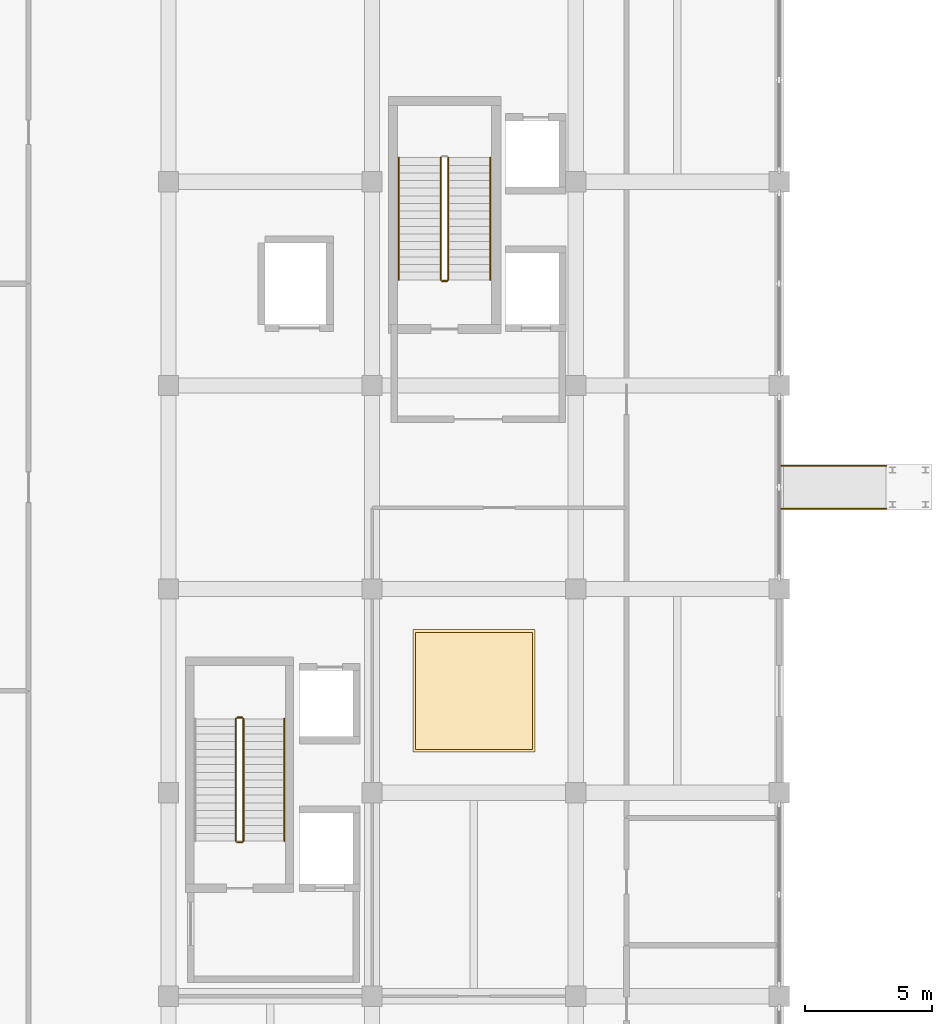
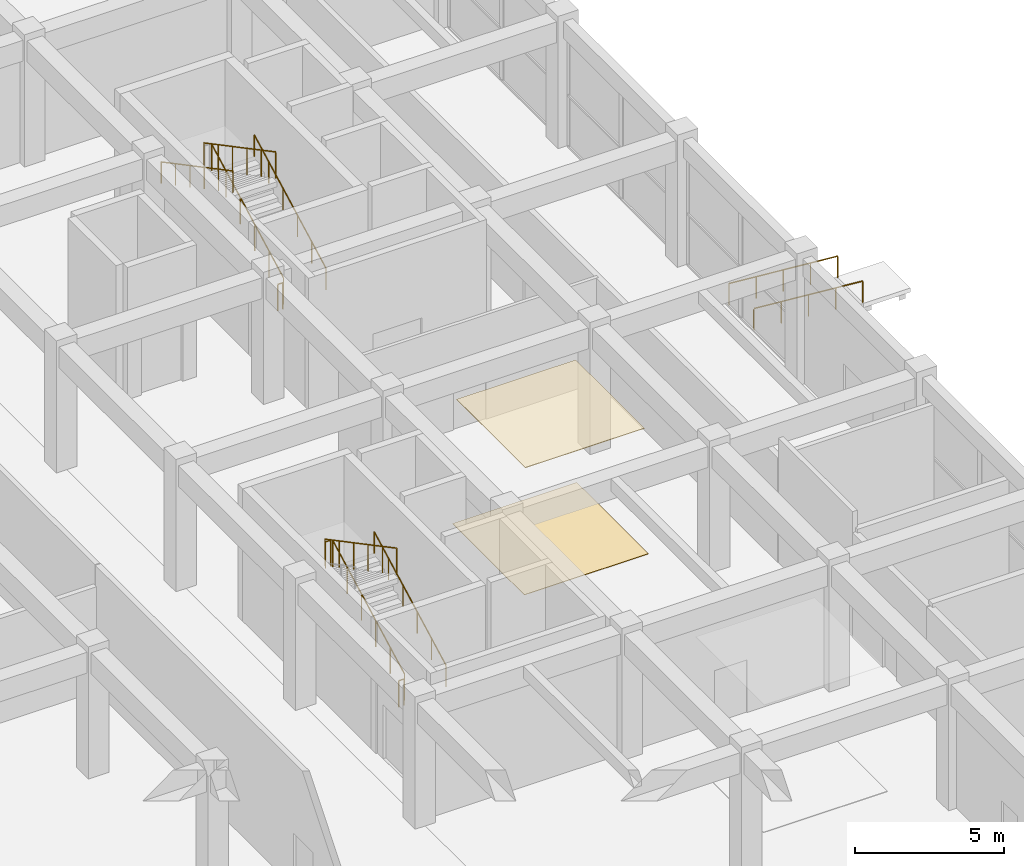
# One storey, part 82 of 86: 12 railings, 2 coverings.
"""IFC4 building model written with IfcOpenShell, lengths in metres."""

from ifc_helpers import new_model, si_unit, direction, frame, origin, origin_2d, place, context, subcontext, project, spatial, rectangle, circle, extrude, material, layer, layer_set, type_object, element, save


model = new_model("IFC4")

# Units and contexts
model_context = context("Model", 3, precision=1e-05, world=origin(), true_north=direction((0.0, 1.0)))
body_context = subcontext(model_context, "Body", "Model", "MODEL_VIEW")
ifc_project = project(units=[si_unit("LENGTHUNIT", "METRE"), si_unit("AREAUNIT", "SQUARE_METRE"), si_unit("VOLUMEUNIT", "CUBIC_METRE"), si_unit("PLANEANGLEUNIT", "RADIAN"), si_unit("MASSUNIT", "GRAM", prefix="KILO")], contexts=[model_context])

# Site, building, storey
site_placement = place(None, origin())
site = spatial("IfcSite", under=ifc_project, at=site_placement, CompositionType="ELEMENT")
building_placement = place(site_placement, origin())
building = spatial("IfcBuilding", under=site, at=building_placement, Name="Kenh Van Central Station", CompositionType="ELEMENT")
storey_placement = place(building_placement, origin())
storey = spatial("IfcBuildingStorey", under=building, at=storey_placement, Name="L00", CompositionType="ELEMENT", Elevation=0.0)

# Coverings
ifc_material_1 = material(Name="Perforated acoustic mineral ceiling board")
ifc_layer_1 = layer(ifc_material_1, 0.02490234375, Name="Perforated acoustic mineral ceiling board")
ifc_layer_set_1 = layer_set([ifc_layer_1], Name="Perforated acoustic mineral ceiling board")
covering_type_1 = type_object("IfcCoveringType", Name="COV-CEIL-ACOUST", PredefinedType="CEILING", material=ifc_layer_set_1)
covering_1_placement = place(storey_placement, frame((164.0, 36.0, 5.09716796875), z_axis=(0.0, 0.0, 1.0), x_axis=(1.0, 0.0, 0.0)))
element("IfcCovering", 1, at=covering_1_placement, inside=storey, type_object=covering_type_1, Name="L00 acoustic ceiling panel 026", PredefinedType="CEILING", context=body_context, shape_type="SweptSolid", body=[
    extrude(rectangle(XDim=4.60009765625, YDim=4.60009765625, at=origin_2d()), origin(), (0.0, 0.0, 1.0), 0.02490234375),
])
ifc_material_2 = material(Name="Polished station granite terrazzo", Category="masonry")
ifc_layer_2 = layer(ifc_material_2, 0.02001953125, Name="Polished station granite terrazzo")
ifc_layer_set_2 = layer_set([ifc_layer_2], Name="Polished station granite terrazzo")
covering_type_2 = type_object("IfcCoveringType", Name="COV-FLR-GRANITE", PredefinedType="FLOORING", material=ifc_layer_set_2)
covering_2_placement = place(storey_placement, frame((164.0, 36.0, 0.0), z_axis=(0.0, 0.0, 1.0), x_axis=(1.0, 0.0, 0.0)))
element("IfcCovering", 2, at=covering_2_placement, inside=storey, type_object=covering_type_2, Name="L00 granite floor finish 034", PredefinedType="FLOORING", context=body_context, shape_type="SweptSolid", body=[
    extrude(rectangle(XDim=4.800048828125, YDim=4.800048828125, at=origin_2d()), origin(), (0.0, 0.0, 1.0), 0.02001953125),
])

# Railings
ifc_material_3 = material(Name="Champagne anodised aluminium", Category="aluminium")
railing_type_1 = type_object("IfcRailingType", Name="RAIL-CORE-GRD110", PredefinedType="GUARDRAIL", material=ifc_material_3)
railing_1_placement = place(storey_placement, frame((154.949951171875, 30.10009765625, 0.158935546875)))
element("IfcRailing", 3, at=railing_1_placement, inside=storey, type_object=railing_type_1, Name="L00 ST-09 stair guard 1", PredefinedType="GUARDRAIL", context=body_context, shape_type="SweptSolid", body=[
    extrude(circle(Radius=0.02392578125, at=origin_2d()), frame((0.0, 0.0, 1.076171875), z_axis=(0.0, 0.883792290195, 0.467879458614), x_axis=(-1.0, 0.0, 0.0)), (0.0, 0.0, 1.0), 5.430908203125),
    extrude(circle(Radius=0.02099609375, at=origin_2d()), origin(), (0.0, 0.0, 1.0), 1.052001953125),
    extrude(circle(Radius=0.02099609375, at=origin_2d()), frame((0.0, 0.9599609375, 0.50830078125)), (0.0, 0.0, 1.0), 1.052001953125),
    extrude(circle(Radius=0.02099609375, at=origin_2d()), frame((0.0, 1.919921875, 1.016357421875)), (0.0, 0.0, 1.0), 1.052001953125),
    extrude(circle(Radius=0.02099609375, at=origin_2d()), frame((0.0, 2.8798828125, 1.524658203125)), (0.0, 0.0, 1.0), 1.052001953125),
    extrude(circle(Radius=0.02099609375, at=origin_2d()), frame((0.0, 3.83984375, 2.03271484375)), (0.0, 0.0, 1.0), 1.052001953125),
    extrude(circle(Radius=0.02099609375, at=origin_2d()), frame((0.0, 4.7998046875, 2.541015625)), (0.0, 0.0, 1.0), 1.052001953125),
])
railing_2_placement = place(storey_placement, frame((154.89990234375, 34.949951171875, 2.699951171875)))
element("IfcRailing", 4, at=railing_2_placement, inside=storey, type_object=railing_type_1, Name="L00 ST-09 stair guard 2", PredefinedType="GUARDRAIL", context=body_context, shape_type="SweptSolid", body=[
    extrude(circle(Radius=0.02392578125, at=origin_2d()), frame((0.0, 0.0, 1.076171875), z_axis=(-1.0, 0.0, 0.0), x_axis=(0.0, -1.0, 0.0)), (0.0, 0.0, 1.0), 0.199951171875),
    extrude(circle(Radius=0.02099609375, at=origin_2d()), origin(), (0.0, 0.0, 1.0), 1.052001953125),
    extrude(circle(Radius=0.02099609375, at=origin_2d()), frame((-0.199951171875, 0.0, 0.0)), (0.0, 0.0, 1.0), 1.052001953125),
])
railing_3_placement = place(storey_placement, frame((154.64990234375, 34.89990234375, 2.85888671875)))
element("IfcRailing", 5, at=railing_3_placement, inside=storey, type_object=railing_type_1, Name="L00 ST-09 stair guard 3", PredefinedType="GUARDRAIL", context=body_context, shape_type="SweptSolid", body=[
    extrude(circle(Radius=0.02392578125, at=origin_2d()), frame((0.0, 0.0, 1.076171875), z_axis=(0.0, -0.883792290195, 0.467879458614), x_axis=(1.0, 0.0, 0.0)), (0.0, 0.0, 1.0), 5.430908203125),
    extrude(circle(Radius=0.02099609375, at=origin_2d()), origin(), (0.0, 0.0, 1.0), 1.052001953125),
    extrude(circle(Radius=0.02099609375, at=origin_2d()), frame((0.0, -0.9599609375, 0.50830078125)), (0.0, 0.0, 1.0), 1.052001953125),
    extrude(circle(Radius=0.02099609375, at=origin_2d()), frame((0.0, -1.919921875, 1.016357421875)), (0.0, 0.0, 1.0), 1.052001953125),
    extrude(circle(Radius=0.02099609375, at=origin_2d()), frame((0.0, -2.8798828125, 1.524658203125)), (0.0, 0.0, 1.0), 1.052001953125),
    extrude(circle(Radius=0.02099609375, at=origin_2d()), frame((0.0, -3.83984375, 2.03271484375)), (0.0, 0.0, 1.0), 1.052001953125),
    extrude(circle(Radius=0.02099609375, at=origin_2d()), frame((0.0, -4.7998046875, 2.541015625)), (0.0, 0.0, 1.0), 1.052001953125),
])
railing_4_placement = place(storey_placement, frame((154.89990234375, 30.050048828125, 0.0)))
element("IfcRailing", 6, at=railing_4_placement, inside=storey, type_object=railing_type_1, Name="L00 ST-09 stair guard 4", PredefinedType="GUARDRAIL", context=body_context, shape_type="SweptSolid", body=[
    extrude(circle(Radius=0.02392578125, at=origin_2d()), frame((0.0, 0.0, 1.076171875), z_axis=(-1.0, 0.0, 0.0), x_axis=(0.0, -1.0, 0.0)), (0.0, 0.0, 1.0), 0.199951171875),
    extrude(circle(Radius=0.02099609375, at=origin_2d()), origin(), (0.0, 0.0, 1.0), 1.052001953125),
    extrude(circle(Radius=0.02099609375, at=origin_2d()), frame((-0.199951171875, 0.0, 0.0)), (0.0, 0.0, 1.0), 1.052001953125),
])
railing_5_placement = place(storey_placement, frame((163.0, 52.14990234375, 0.158935546875)))
element("IfcRailing", 7, at=railing_5_placement, inside=storey, type_object=railing_type_1, Name="L00 ST-10 stair guard 1", PredefinedType="GUARDRAIL", context=body_context, shape_type="SweptSolid", body=[
    extrude(circle(Radius=0.02392578125, at=origin_2d()), frame((0.0, 0.0, 1.076171875), z_axis=(0.0, 0.883802130504, 0.467860870469), x_axis=(-1.0, 0.0, 0.0)), (0.0, 0.0, 1.0), 5.43115234375),
    extrude(circle(Radius=0.02099609375, at=origin_2d()), origin(), (0.0, 0.0, 1.0), 1.052001953125),
    extrude(circle(Radius=0.02099609375, at=origin_2d()), frame((0.0, 0.9599609375, 0.50830078125)), (0.0, 0.0, 1.0), 1.052001953125),
    extrude(circle(Radius=0.02099609375, at=origin_2d()), frame((0.0, 1.919921875, 1.016357421875)), (0.0, 0.0, 1.0), 1.052001953125),
    extrude(circle(Radius=0.02099609375, at=origin_2d()), frame((0.0, 2.880126953125, 1.524658203125)), (0.0, 0.0, 1.0), 1.052001953125),
    extrude(circle(Radius=0.02099609375, at=origin_2d()), frame((0.0, 3.840087890625, 2.03271484375)), (0.0, 0.0, 1.0), 1.052001953125),
    extrude(circle(Radius=0.02099609375, at=origin_2d()), frame((0.0, 4.800048828125, 2.541015625)), (0.0, 0.0, 1.0), 1.052001953125),
])
railing_6_placement = place(storey_placement, frame((162.699951171875, 56.949951171875, 2.85888671875)))
element("IfcRailing", 8, at=railing_6_placement, inside=storey, type_object=railing_type_1, Name="L00 ST-10 stair guard 3", PredefinedType="GUARDRAIL", context=body_context, shape_type="SweptSolid", body=[
    extrude(circle(Radius=0.02392578125, at=origin_2d()), frame((0.0, 0.0, 1.076171875), z_axis=(0.0, -0.883802130504, 0.467860870469), x_axis=(1.0, 0.0, 0.0)), (0.0, 0.0, 1.0), 5.43115234375),
    extrude(circle(Radius=0.02099609375, at=origin_2d()), origin(), (0.0, 0.0, 1.0), 1.052001953125),
    extrude(circle(Radius=0.02099609375, at=origin_2d()), frame((0.0, -0.9599609375, 0.50830078125)), (0.0, 0.0, 1.0), 1.052001953125),
    extrude(circle(Radius=0.02099609375, at=origin_2d()), frame((0.0, -1.919921875, 1.016357421875)), (0.0, 0.0, 1.0), 1.052001953125),
    extrude(circle(Radius=0.02099609375, at=origin_2d()), frame((0.0, -2.880126953125, 1.524658203125)), (0.0, 0.0, 1.0), 1.052001953125),
    extrude(circle(Radius=0.02099609375, at=origin_2d()), frame((0.0, -3.840087890625, 2.03271484375)), (0.0, 0.0, 1.0), 1.052001953125),
    extrude(circle(Radius=0.02099609375, at=origin_2d()), frame((0.0, -4.800048828125, 2.541015625)), (0.0, 0.0, 1.0), 1.052001953125),
])
railing_7_placement = place(storey_placement, frame((162.949951171875, 52.10009765625, 0.0)))
element("IfcRailing", 9, at=railing_7_placement, inside=storey, type_object=railing_type_1, Name="L00 ST-10 stair guard 4", PredefinedType="GUARDRAIL", context=body_context, shape_type="SweptSolid", body=[
    extrude(circle(Radius=0.02392578125, at=origin_2d()), frame((0.0, 0.0, 1.076171875), z_axis=(-1.0, 0.0, 0.0), x_axis=(0.0, -1.0, 0.0)), (0.0, 0.0, 1.0), 0.199951171875),
    extrude(circle(Radius=0.02099609375, at=origin_2d()), origin(), (0.0, 0.0, 1.0), 1.052001953125),
    extrude(circle(Radius=0.02099609375, at=origin_2d()), frame((-0.199951171875, 0.0, 0.0)), (0.0, 0.0, 1.0), 1.052001953125),
])
railing_type_2 = type_object("IfcRailingType", Name="RAIL-CORE-HND90", PredefinedType="HANDRAIL", material=ifc_material_3)
railing_8_placement = place(storey_placement, frame((156.550048828125, 30.10009765625, 0.158935546875)))
element("IfcRailing", 10, at=railing_8_placement, inside=storey, type_object=railing_type_2, Name="L00 ST-09 stair handrail 1", PredefinedType="HANDRAIL", context=body_context, shape_type="SweptSolid", body=[
    extrude(circle(Radius=0.02392578125, at=origin_2d()), frame((0.0, 0.0, 0.8759765625), z_axis=(0.0, 0.883792290195, 0.467879458614), x_axis=(-1.0, 0.0, 0.0)), (0.0, 0.0, 1.0), 5.430908203125),
    extrude(circle(Radius=0.02099609375, at=origin_2d()), origin(), (0.0, 0.0, 1.0), 0.851806640625),
    extrude(circle(Radius=0.02099609375, at=origin_2d()), frame((0.0, 0.9599609375, 0.50830078125)), (0.0, 0.0, 1.0), 0.851806640625),
    extrude(circle(Radius=0.02099609375, at=origin_2d()), frame((0.0, 1.919921875, 1.016357421875)), (0.0, 0.0, 1.0), 0.851806640625),
    extrude(circle(Radius=0.02099609375, at=origin_2d()), frame((0.0, 2.8798828125, 1.524658203125)), (0.0, 0.0, 1.0), 0.851806640625),
    extrude(circle(Radius=0.02099609375, at=origin_2d()), frame((0.0, 3.83984375, 2.03271484375)), (0.0, 0.0, 1.0), 0.851806640625),
    extrude(circle(Radius=0.02099609375, at=origin_2d()), frame((0.0, 4.7998046875, 2.541015625)), (0.0, 0.0, 1.0), 0.851806640625),
])
railing_9_placement = place(storey_placement, frame((164.64990234375, 52.14990234375, 0.158935546875)))
element("IfcRailing", 11, at=railing_9_placement, inside=storey, type_object=railing_type_2, Name="L00 ST-10 stair handrail 1", PredefinedType="HANDRAIL", context=body_context, shape_type="SweptSolid", body=[
    extrude(circle(Radius=0.02392578125, at=origin_2d()), frame((0.0, 0.0, 0.8759765625), z_axis=(0.0, 0.883802130504, 0.467860870469), x_axis=(-1.0, 0.0, 0.0)), (0.0, 0.0, 1.0), 5.43115234375),
    extrude(circle(Radius=0.02099609375, at=origin_2d()), origin(), (0.0, 0.0, 1.0), 0.851806640625),
    extrude(circle(Radius=0.02099609375, at=origin_2d()), frame((0.0, 0.9599609375, 0.50830078125)), (0.0, 0.0, 1.0), 0.851806640625),
    extrude(circle(Radius=0.02099609375, at=origin_2d()), frame((0.0, 1.919921875, 1.016357421875)), (0.0, 0.0, 1.0), 0.851806640625),
    extrude(circle(Radius=0.02099609375, at=origin_2d()), frame((0.0, 2.880126953125, 1.524658203125)), (0.0, 0.0, 1.0), 0.851806640625),
    extrude(circle(Radius=0.02099609375, at=origin_2d()), frame((0.0, 3.840087890625, 2.03271484375)), (0.0, 0.0, 1.0), 0.851806640625),
    extrude(circle(Radius=0.02099609375, at=origin_2d()), frame((0.0, 4.800048828125, 2.541015625)), (0.0, 0.0, 1.0), 0.851806640625),
])
railing_10_placement = place(storey_placement, frame((161.050048828125, 56.949951171875, 2.85888671875)))
element("IfcRailing", 12, at=railing_10_placement, inside=storey, type_object=railing_type_2, Name="L00 ST-10 stair handrail 2", PredefinedType="HANDRAIL", context=body_context, shape_type="SweptSolid", body=[
    extrude(circle(Radius=0.02392578125, at=origin_2d()), frame((0.0, 0.0, 0.8759765625), z_axis=(0.0, -0.883802130504, 0.467860870469), x_axis=(1.0, 0.0, 0.0)), (0.0, 0.0, 1.0), 5.43115234375),
    extrude(circle(Radius=0.02099609375, at=origin_2d()), origin(), (0.0, 0.0, 1.0), 0.851806640625),
    extrude(circle(Radius=0.02099609375, at=origin_2d()), frame((0.0, -0.9599609375, 0.50830078125)), (0.0, 0.0, 1.0), 0.851806640625),
    extrude(circle(Radius=0.02099609375, at=origin_2d()), frame((0.0, -1.919921875, 1.016357421875)), (0.0, 0.0, 1.0), 0.851806640625),
    extrude(circle(Radius=0.02099609375, at=origin_2d()), frame((0.0, -2.880126953125, 1.524658203125)), (0.0, 0.0, 1.0), 0.851806640625),
    extrude(circle(Radius=0.02099609375, at=origin_2d()), frame((0.0, -3.840087890625, 2.03271484375)), (0.0, 0.0, 1.0), 0.851806640625),
    extrude(circle(Radius=0.02099609375, at=origin_2d()), frame((0.0, -4.800048828125, 2.541015625)), (0.0, 0.0, 1.0), 0.851806640625),
])
for number, where, name in (
    (13, (180.199951171875, 44.840087890625, -0.35009765625), "Operations East Entrance Accessible Ramp handrail 1"),
    (14, (180.199951171875, 43.159912109375, -0.35009765625), "Operations East Entrance Accessible Ramp handrail 2"),
):
    element("IfcRailing", number, at=place(storey_placement, frame(where)), inside=storey, type_object=railing_type_2, Name=name, PredefinedType="HANDRAIL", context=body_context, shape_type="SweptSolid", body=[
        extrude(circle(Radius=0.02392578125, at=origin_2d()), frame((0.0, 0.0, 0.8759765625), z_axis=(-0.996543760423, 0.0, 0.083069450238), x_axis=(0.0, -1.0, 0.0)), (0.0, 0.0, 1.0), 4.214599609375),
        extrude(circle(Radius=0.02099609375, at=origin_2d()), origin(), (0.0, 0.0, 1.0), 0.851806640625),
        extrude(circle(Radius=0.02099609375, at=origin_2d()), frame((-1.050048828125, 0.0, 0.08740234375)), (0.0, 0.0, 1.0), 0.851806640625),
        extrude(circle(Radius=0.02099609375, at=origin_2d()), frame((-2.10009765625, 0.0, 0.175048828125)), (0.0, 0.0, 1.0), 0.851806640625),
        extrude(circle(Radius=0.02099609375, at=origin_2d()), frame((-3.14990234375, 0.0, 0.2626953125)), (0.0, 0.0, 1.0), 0.851806640625),
        extrude(circle(Radius=0.02099609375, at=origin_2d()), frame((-4.199951171875, 0.0, 0.35009765625)), (0.0, 0.0, 1.0), 0.851806640625),
    ])

save(model, "model.ifc")
